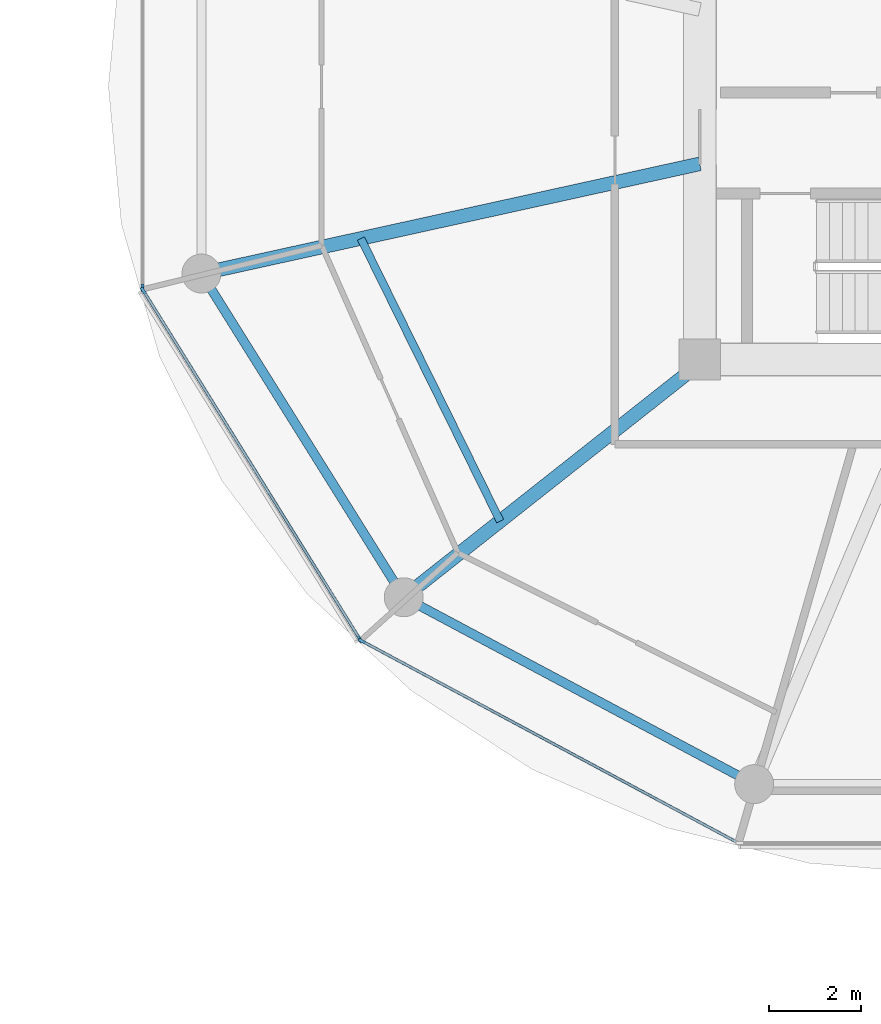
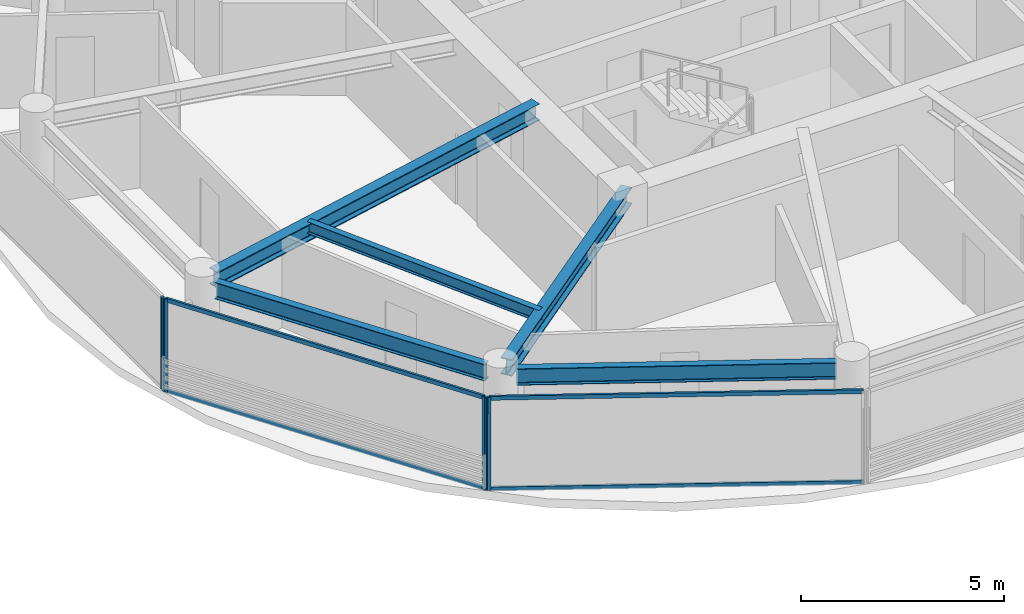
# One storey, part 6 of 23: 8 members, 5 beams, 3 elements without a shape of their own.
"""IFC4 building model written with IfcOpenShell, lengths in metres."""

from ifc_helpers import new_model, si_unit, direction, frame, origin, origin_2d, place, context, subcontext, project, spatial, rectangle, i_section, extrude, source, transform, mapped, material, layer, layer_set, material_profile, profile_set, type_object, type_shapes, element, aggregate, save


model = new_model("IFC4")

# Units and contexts
model_context = context("Model", 3, precision=1e-05, world=origin(), true_north=direction((0.0, 1.0)))
body_context = subcontext(model_context, "Body", "Model", "MODEL_VIEW")
ifc_project = project(units=[si_unit("LENGTHUNIT", "METRE"), si_unit("AREAUNIT", "SQUARE_METRE"), si_unit("VOLUMEUNIT", "CUBIC_METRE"), si_unit("PLANEANGLEUNIT", "RADIAN"), si_unit("MASSUNIT", "GRAM", prefix="KILO")], contexts=[model_context])

# Site, building, storey
site_placement = place(None, origin())
site = spatial("IfcSite", under=ifc_project, at=site_placement, CompositionType="ELEMENT")
building_placement = place(site_placement, origin())
building = spatial("IfcBuilding", under=site, at=building_placement, Name="Norrkilde Senior Care Towers", CompositionType="ELEMENT")
storey_placement = place(building_placement, frame((0.0, 0.0, 93.199951171875)))
storey = spatial("IfcBuildingStorey", under=building, at=storey_placement, Name="L28", CompositionType="ELEMENT", Elevation=93.199951171875)

# Beams
ifc_material_1 = material(Name="Steel S355", Category="steel")
ifc_material_profile_1 = material_profile(ifc_material_1, i_section(OverallWidth=0.199951171875, OverallDepth=0.5, WebThickness=0.01025390625, FlangeThickness=0.01611328125, FilletRadius=0.02099609375, at=origin_2d()), Name="IPE 500")
ifc_profile_set_1 = profile_set([ifc_material_profile_1], Name="Steel S355")
beam_type_1 = type_object("IfcBeamType", Name="Perimeter Ring Spandrel Z2 IPE500", PredefinedType="SPANDREL", material=ifc_profile_set_1)
shared_shape_1 = source(origin(), body_context, "Body", "SweptSolid", [
    extrude(i_section(OverallWidth=0.199951171875, OverallDepth=0.5, WebThickness=0.01025390625, FlangeThickness=0.01611328125, FilletRadius=0.02099609375, at=origin_2d()), origin(), (0.0, 0.0, 1.0), 7.55615234375),
])
beam_1_placement = place(storey_placement, frame((9.68505859375, -4.40283203125, 2.5400390625), z_axis=(0.529981514254, -0.848009194849, 0.0), x_axis=(0.848009194849, 0.529981514254, 0.0)))
element("IfcBeam", 1, at=beam_1_placement, inside=storey, type_object=beam_type_1, Name="L28 Drum E Perimeter Spandrel 07", PredefinedType="SPANDREL", context=body_context, shape_type="MappedRepresentation", body=[
    mapped(shared_shape_1, transform((0.0, 0.0, 0.0), x_axis=(1.0, 0.0, 0.0), y_axis=(0.0, 1.0, 0.0), z_axis=(0.0, 0.0, 1.0), scale=1.0)),
])
ifc_material_profile_2 = material_profile(ifc_material_1, i_section(OverallWidth=0.300048828125, OverallDepth=0.5, WebThickness=0.014404296875, FlangeThickness=0.028076171875, FilletRadius=0.027099609375, at=origin_2d()), Name="HEB 500")
ifc_profile_set_2 = profile_set([ifc_material_profile_2], Name="Steel S355")
beam_type_2 = type_object("IfcBeamType", Name="Radial Floor Beam Z2 HEB500", PredefinedType="BEAM", material=ifc_profile_set_2)
shared_shape_2 = source(origin(), body_context, "Body", "SweptSolid", [
    extrude(i_section(OverallWidth=0.300048828125, OverallDepth=0.5, WebThickness=0.014404296875, FlangeThickness=0.028076171875, FilletRadius=0.027099609375, at=origin_2d()), origin(), (0.0, 0.0, 1.0), 10.744384765625),
])
beam_2_placement = place(storey_placement, frame((20.35009765625, -1.683837890625, 2.5400390625), z_axis=(-0.976618711422, -0.214978818724, 0.0), x_axis=(0.214978818724, -0.976618711422, 0.0)))
element("IfcBeam", 2, at=beam_2_placement, inside=storey, type_object=beam_type_2, Name="L28 Drum E Radial Floor Beam 07", PredefinedType="BEAM", context=body_context, shape_type="MappedRepresentation", body=[
    mapped(shared_shape_2, transform((0.0, 0.0, 0.0), x_axis=(1.0, 0.0, 0.0), y_axis=(0.0, 1.0, 0.0), z_axis=(0.0, 0.0, 1.0), scale=1.0)),
])
shared_shape_3 = source(origin(), body_context, "Body", "SweptSolid", [
    extrude(i_section(OverallWidth=0.199951171875, OverallDepth=0.5, WebThickness=0.01025390625, FlangeThickness=0.01611328125, FilletRadius=0.02099609375, at=origin_2d()), origin(), (0.0, 0.0, 1.0), 7.892333984375),
])
type_shapes(beam_type_1, [shared_shape_1, shared_shape_3])
beam_3_placement = place(storey_placement, frame((14.233642578125, -11.318115234375, 2.5400390625), z_axis=(0.882350372282, -0.47059305194, 0.0), x_axis=(0.47059305194, 0.882350372282, 0.0)))
element("IfcBeam", 3, at=beam_3_placement, inside=storey, type_object=beam_type_1, Name="L28 Drum E Perimeter Spandrel 08", PredefinedType="SPANDREL", context=body_context, shape_type="MappedRepresentation", body=[
    mapped(shared_shape_3, transform((0.0, 0.0, 0.0), x_axis=(1.0, 0.0, 0.0), y_axis=(0.0, 1.0, 0.0), z_axis=(0.0, 0.0, 1.0), scale=1.0)),
])
shared_shape_4 = source(origin(), body_context, "Body", "SweptSolid", [
    extrude(i_section(OverallWidth=0.300048828125, OverallDepth=0.5, WebThickness=0.014404296875, FlangeThickness=0.028076171875, FilletRadius=0.027099609375, at=origin_2d()), origin(), (0.0, 0.0, 1.0), 7.985595703125),
])
type_shapes(beam_type_2, [shared_shape_2, shared_shape_4])
beam_4_placement = place(storey_placement, frame((20.463623046875, -5.949951171875, 2.5400390625), z_axis=(-0.784858505144, -0.619675017169, 0.0), x_axis=(0.619675017169, -0.784858505144, 0.0)))
element("IfcBeam", 4, at=beam_4_placement, inside=storey, type_object=beam_type_2, Name="L28 Drum E Radial Floor Beam 08", PredefinedType="BEAM", context=body_context, shape_type="MappedRepresentation", body=[
    mapped(shared_shape_4, transform((0.0, 0.0, 0.0), x_axis=(1.0, 0.0, 0.0), y_axis=(0.0, 1.0, 0.0), z_axis=(0.0, 0.0, 1.0), scale=1.0)),
])
ifc_material_profile_3 = material_profile(ifc_material_1, i_section(OverallWidth=0.169921875, OverallDepth=0.360107421875, WebThickness=0.008056640625, FlangeThickness=0.0126953125, FilletRadius=0.01806640625, at=origin_2d()), Name="IPE 360")
ifc_profile_set_3 = profile_set([ifc_material_profile_3], Name="Steel S355")
beam_type_3 = type_object("IfcBeamType", Name="Secondary Floor Joist IPE360", PredefinedType="JOIST", material=ifc_profile_set_3)
shared_shape_5 = source(origin(), body_context, "Body", "SweptSolid", [
    extrude(i_section(OverallWidth=0.169921875, OverallDepth=0.360107421875, WebThickness=0.008056640625, FlangeThickness=0.0126953125, FilletRadius=0.01806640625, at=origin_2d()), origin(), (0.0, 0.0, 1.0), 6.87353515625),
])
type_shapes(beam_type_3, [shared_shape_5])
beam_5_placement = place(storey_placement, frame((12.958984375, -3.310791015625, 2.610107421875), z_axis=(0.44184939592, -0.897089243791, 0.0), x_axis=(0.897089243791, 0.44184939592, 0.0)))
element("IfcBeam", 5, at=beam_5_placement, inside=storey, type_object=beam_type_3, Name="L28 Drum E Secondary Floor Joist 3", PredefinedType="JOIST", context=body_context, shape_type="MappedRepresentation", body=[
    mapped(shared_shape_5, transform((0.0, 0.0, 0.0), x_axis=(1.0, 0.0, 0.0), y_axis=(0.0, 1.0, 0.0), z_axis=(0.0, 0.0, 1.0), scale=1.0)),
])

# Curtain wall, member
ifc_material_2 = material(Name="Triple Low-E Insulated Glazing", Category="glass")
ifc_layer = layer(ifc_material_2, 0.195068359375)
ifc_layer_set = layer_set([ifc_layer], Name="Triple Low-E Insulated Glazing")
curtain_wall_type = type_object("IfcCurtainWallType", Name="CW3 Zone 2 Assisted Living Curtain Wall", PredefinedType="NOTDEFINED", material=ifc_layer_set)
curtain_wall_1_placement = place(storey_placement, origin())
curtain_wall_1 = element("IfcCurtainWall", 6, at=curtain_wall_1_placement, inside=storey, type_object=curtain_wall_type, Name="L28 Drum E Curtain Wall 05", PredefinedType="NOTDEFINED")
ifc_material_3 = material(Name="Anodised Aluminium", Category="aluminium")
ifc_material_profile_4 = material_profile(ifc_material_3, rectangle(XDim=0.06494140625, YDim=0.159912109375, at=origin_2d()), Name="ALU MULL 65x160")
ifc_profile_set_4 = profile_set([ifc_material_profile_4], Name="Anodised Aluminium")
member_type_1 = type_object("IfcMemberType", Name="Curtain Wall Mullion Z1-Z2 65x160", PredefinedType="MULLION", material=ifc_profile_set_4)
shared_shape_6 = source(origin(), body_context, "Body", "SweptSolid", [
    extrude(rectangle(XDim=0.06494140625, YDim=0.159912109375, at=origin_2d()), origin(), (0.0, 0.0, 1.0), 2.7900390625),
])
type_shapes(member_type_1, [shared_shape_6])
member_1_placement = place(storey_placement, frame((8.1962890625, -4.38818359375, 0.0), z_axis=(0.0, 0.0, 1.0), x_axis=(-1.0, 0.0, 0.0)))
member_1 = element("IfcMember", 7, at=member_1_placement, type_object=member_type_1, Name="CW-3 mullion 1", PredefinedType="MULLION", context=body_context, shape_type="MappedRepresentation", body=[
    mapped(shared_shape_6, transform((0.0, 0.0, 0.0), x_axis=(1.0, 0.0, 0.0), y_axis=(0.0, 1.0, 0.0), z_axis=(0.0, 0.0, 1.0), scale=1.0)),
])
aggregate(curtain_wall_1, [member_1])

# Curtain wall, members
curtain_wall_2_placement = place(storey_placement, origin())
curtain_wall_2 = element("IfcCurtainWall", 8, at=curtain_wall_2_placement, inside=storey, type_object=curtain_wall_type, Name="L28 Drum E Curtain Wall 06", PredefinedType="NOTDEFINED")
member_2_placement = place(storey_placement, frame((12.936279296875, -12.0498046875, 0.0), z_axis=(0.0, 0.0, 1.0), x_axis=(-0.849410171862, -0.527733228002, 0.0)))
member_2 = element("IfcMember", 9, at=member_2_placement, type_object=member_type_1, Name="CW-3 mullion 1", PredefinedType="MULLION", context=body_context, shape_type="MappedRepresentation", body=[
    mapped(shared_shape_6, transform((0.0, 0.0, 0.0), x_axis=(1.0, 0.0, 0.0), y_axis=(0.0, 1.0, 0.0), z_axis=(0.0, 0.0, 1.0), scale=1.0)),
])
member_3_placement = place(storey_placement, frame((8.21337890625, -4.4482421875, 0.0), z_axis=(0.0, 0.0, 1.0), x_axis=(-0.849410171862, -0.527733228002, 0.0)))
member_3 = element("IfcMember", 10, at=member_3_placement, type_object=member_type_1, Name="CW-3 mullion 2", PredefinedType="MULLION", context=body_context, shape_type="MappedRepresentation", body=[
    mapped(shared_shape_6, transform((0.0, 0.0, 0.0), x_axis=(1.0, 0.0, 0.0), y_axis=(0.0, 1.0, 0.0), z_axis=(0.0, 0.0, 1.0), scale=1.0)),
])

# Curtain wall, member
curtain_wall_3_placement = place(storey_placement, origin())
curtain_wall_3 = element("IfcCurtainWall", 11, at=curtain_wall_3_placement, inside=storey, type_object=curtain_wall_type, Name="L28 Drum E Curtain Wall 07", PredefinedType="NOTDEFINED")
member_4_placement = place(storey_placement, frame((12.98193359375, -12.0927734375, 0.0), z_axis=(0.0, 0.0, 1.0), x_axis=(-0.472769402511, -0.881186184668, 0.0)))
member_4 = element("IfcMember", 12, at=member_4_placement, type_object=member_type_1, Name="CW-3 mullion 2", PredefinedType="MULLION", context=body_context, shape_type="MappedRepresentation", body=[
    mapped(shared_shape_6, transform((0.0, 0.0, 0.0), x_axis=(1.0, 0.0, 0.0), y_axis=(0.0, 1.0, 0.0), z_axis=(0.0, 0.0, 1.0), scale=1.0)),
])

# Member
ifc_material_profile_5 = material_profile(ifc_material_3, rectangle(XDim=0.06005859375, YDim=0.1201171875, at=origin_2d()), Name="ALU TRAN 60x120")
ifc_profile_set_5 = profile_set([ifc_material_profile_5], Name="Anodised Aluminium")
member_type_2 = type_object("IfcMemberType", Name="Curtain Wall Transom Typical 60x120", PredefinedType="USERDEFINED", material=ifc_profile_set_5)
shared_shape_7 = source(origin(), body_context, "Body", "SweptSolid", [
    extrude(rectangle(XDim=0.06005859375, YDim=0.1201171875, at=origin_2d()), origin(), (0.0, 0.0, 1.0), 8.88427734375),
])
member_5_placement = place(storey_placement, frame((12.919189453125, -12.022216796875, 0.030029296875), z_axis=(-0.527749293309, 0.849400190377, 0.0), x_axis=(-0.849400190377, -0.527749293309, 0.0)))
member_5 = element("IfcMember", 13, at=member_5_placement, type_object=member_type_2, Name="CW-3 transom 1.1", ObjectType="TRANSOM", PredefinedType="USERDEFINED", context=body_context, shape_type="MappedRepresentation", body=[
    mapped(shared_shape_7, transform((0.0, 0.0, 0.0), x_axis=(1.0, 0.0, 0.0), y_axis=(0.0, 1.0, 0.0), z_axis=(0.0, 0.0, 1.0), scale=1.0)),
])

member_6_placement = place(storey_placement, frame((12.919189453125, -12.022216796875, 2.760009765625), z_axis=(-0.527749293309, 0.849400190377, 0.0), x_axis=(-0.849400190377, -0.527749293309, 0.0)))
member_6 = element("IfcMember", 14, at=member_6_placement, type_object=member_type_2, Name="CW-3 transom 1.2", ObjectType="TRANSOM", PredefinedType="USERDEFINED", context=body_context, shape_type="MappedRepresentation", body=[
    mapped(shared_shape_7, transform((0.0, 0.0, 0.0), x_axis=(1.0, 0.0, 0.0), y_axis=(0.0, 1.0, 0.0), z_axis=(0.0, 0.0, 1.0), scale=1.0)),
])

aggregate(curtain_wall_2, [member_2, member_3, member_5, member_6])

shared_shape_8 = source(origin(), body_context, "Body", "SweptSolid", [
    extrude(rectangle(XDim=0.06005859375, YDim=0.1201171875, at=origin_2d()), origin(), (0.0, 0.0, 1.0), 9.220458984375),
])
type_shapes(member_type_2, [shared_shape_7, shared_shape_8])
member_7_placement = place(storey_placement, frame((21.1357421875, -16.46728515625, 0.030029296875), z_axis=(-0.881188517866, 0.472765053681, 0.0), x_axis=(-0.472765053681, -0.881188517866, 0.0)))
member_7 = element("IfcMember", 15, at=member_7_placement, type_object=member_type_2, Name="CW-3 transom 1.1", ObjectType="TRANSOM", PredefinedType="USERDEFINED", context=body_context, shape_type="MappedRepresentation", body=[
    mapped(shared_shape_8, transform((0.0, 0.0, 0.0), x_axis=(1.0, 0.0, 0.0), y_axis=(0.0, 1.0, 0.0), z_axis=(0.0, 0.0, 1.0), scale=1.0)),
])

member_8_placement = place(storey_placement, frame((21.1357421875, -16.46728515625, 2.760009765625), z_axis=(-0.881188517866, 0.472765053681, 0.0), x_axis=(-0.472765053681, -0.881188517866, 0.0)))
member_8 = element("IfcMember", 16, at=member_8_placement, type_object=member_type_2, Name="CW-3 transom 1.2", ObjectType="TRANSOM", PredefinedType="USERDEFINED", context=body_context, shape_type="MappedRepresentation", body=[
    mapped(shared_shape_8, transform((0.0, 0.0, 0.0), x_axis=(1.0, 0.0, 0.0), y_axis=(0.0, 1.0, 0.0), z_axis=(0.0, 0.0, 1.0), scale=1.0)),
])

aggregate(curtain_wall_3, [member_4, member_7, member_8])

save(model, "model.ifc")
